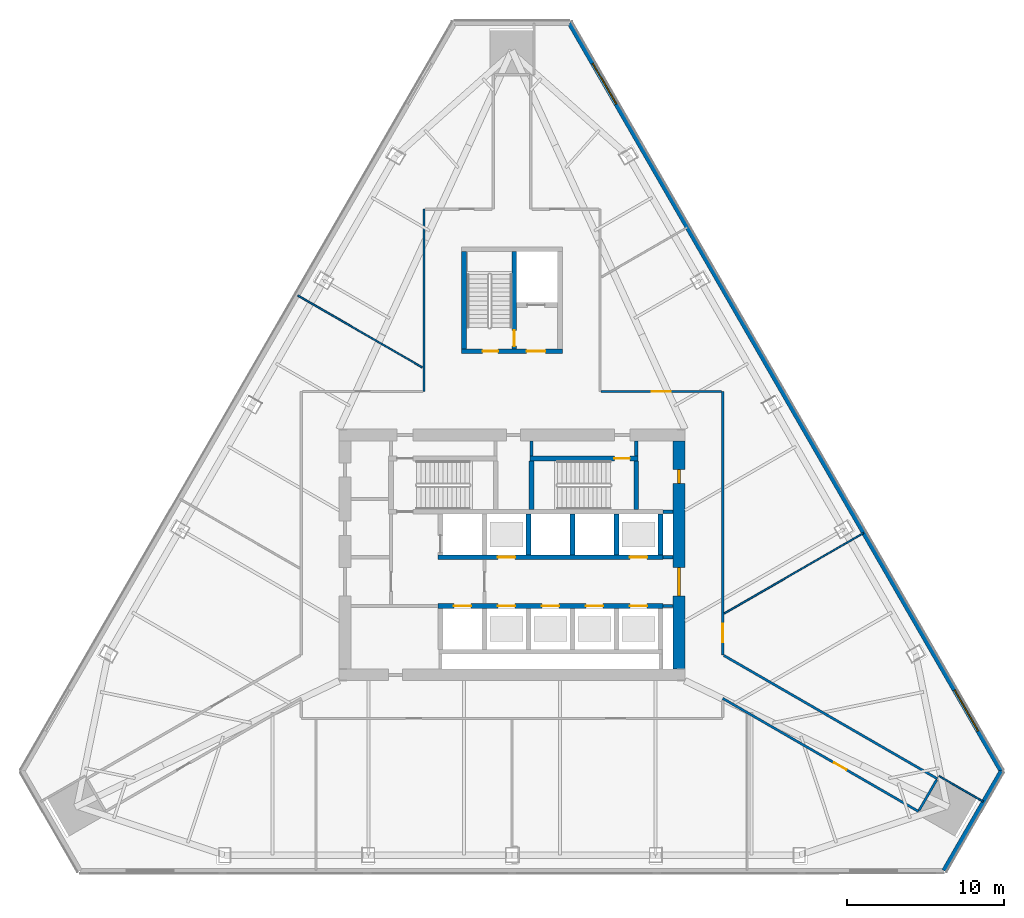
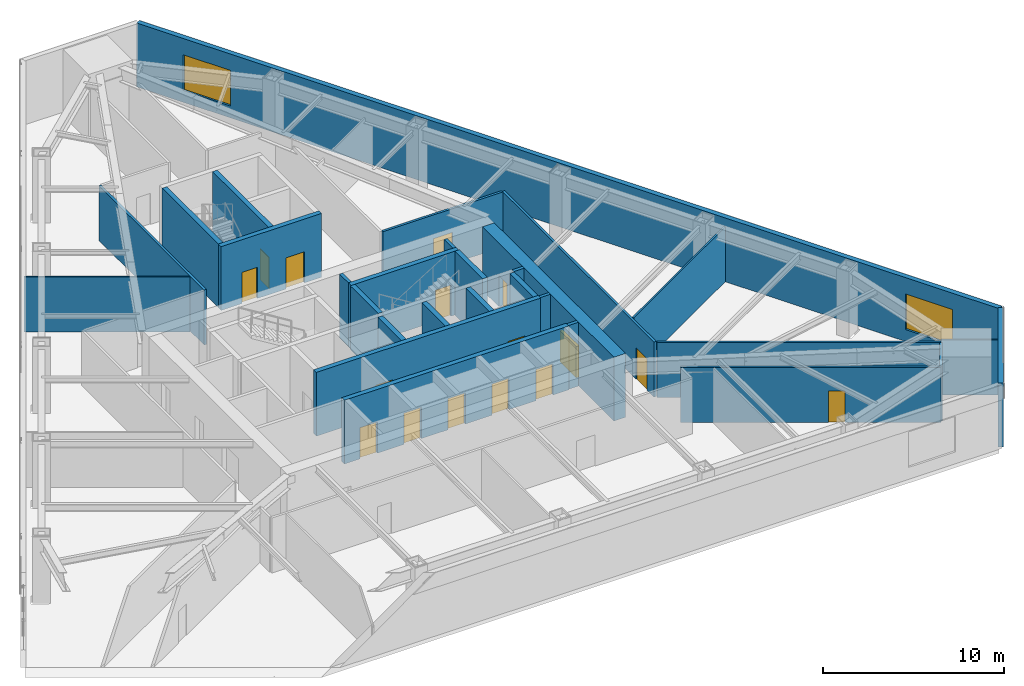
# One storey, part 7 of 14: 29 walls, 16 doors, 2 windows, 18 openings.
"""IFC4 building model written with IfcOpenShell, lengths in metres."""

from ifc_helpers import new_model, si_unit, direction, frame, frame_2d, origin, place, context, subcontext, project, spatial, rectangle, extrude, material, layer, layer_set, type_object, element, fill, save


model = new_model("IFC4")

# Units and contexts
model_context = context("Model", 3, precision=1e-05, world=origin(), true_north=direction((0.0, 1.0)))
body_context = subcontext(model_context, "Body", "Model", "MODEL_VIEW")
ifc_project = project(units=[si_unit("LENGTHUNIT", "METRE"), si_unit("AREAUNIT", "SQUARE_METRE"), si_unit("VOLUMEUNIT", "CUBIC_METRE"), si_unit("PLANEANGLEUNIT", "RADIAN"), si_unit("MASSUNIT", "GRAM", prefix="KILO")], contexts=[model_context])

# Site, building, storey
site_placement = place(None, origin())
site = spatial("IfcSite", under=ifc_project, at=site_placement, CompositionType="ELEMENT")
building_placement = place(site_placement, origin())
building = spatial("IfcBuilding", under=site, at=building_placement, Name="Firuza Gate Tower and Library", CompositionType="ELEMENT")
storey_placement = place(building_placement, frame((0.0, 0.0, 151.300048828125)))
storey = spatial("IfcBuildingStorey", under=building, at=storey_placement, Name="L34", CompositionType="ELEMENT", Elevation=151.300048828125)

# Walls
ifc_material_1 = material(Name="Plasterboard on steel studs", Category="steel")
ifc_layer_1 = layer(ifc_material_1, 0.199951171875)
ifc_layer_set_1 = layer_set([ifc_layer_1], Name="Core partition 200 EI 120")
wall_type_1 = type_object("IfcWallType", Name="Core partition 200 EI 120", PredefinedType="PARTITIONING", material=ifc_layer_set_1)
for number, where, z_axis, x_axis, name in (
    (1, (84.60009765625, 71.75, 0.0), (0.0, 0.0, 1.0), (1.0, 0.0, 0.0), "Core partition L34 2"),
    (2, (84.60009765625, 74.85009765625, 0.0), (0.0, 0.0, 1.0), (1.0, 0.0, 0.0), "Core partition L34 4"),
    (3, (84.60009765625, 77.75, 0.0), (0.0, 0.0, 1.0), (1.0, 0.0, 0.0), "Core partition L34 5"),
):
    element("IfcWall", number, at=place(storey_placement, frame(where, z_axis=z_axis, x_axis=x_axis)), inside=storey, type_object=wall_type_1, Name=name, PredefinedType="PARTITIONING", context=body_context, shape_type="SweptSolid", body=[
        extrude(rectangle(XDim=0.64990234375, YDim=0.199951171875, at=frame_2d((0.324951171875, 0.0))), origin(), (0.0, 0.0, 1.0), 4.300048828125),
    ])
for number, where, z_axis, x_axis, name in (
    (4, (76.239990234375, 81.280029296875, 0.0), (0.0, 0.0, 1.0), (0.0, 1.0, 0.0), "Core partition L34 12"),
    (5, (82.89990234375, 81.280029296875, 0.0), (0.0, 0.0, 1.0), (0.0, 1.0, 0.0), "Core partition L34 13"),
):
    element("IfcWall", number, at=place(storey_placement, frame(where, z_axis=z_axis, x_axis=x_axis)), inside=storey, type_object=wall_type_1, Name=name, PredefinedType="PARTITIONING", context=body_context, shape_type="SweptSolid", body=[
        extrude(rectangle(XDim=0.969970703125, YDim=0.199951171875, at=frame_2d((0.48486328125, 0.0))), origin(), (0.0, 0.0, 1.0), 4.300048828125),
    ])

# Wall, openings, doors
ifc_material_2 = material(Name="Concrete C80/95", Category="concrete")
ifc_layer_2 = layer(ifc_material_2, 0.300048828125)
ifc_layer_set_2 = layer_set([ifc_layer_2], Name="Core wall 300 C80/95")
wall_type_2 = type_object("IfcWallType", Name="Core wall 300 C80/95", PredefinedType="SHEAR", material=ifc_layer_set_2)
wall_1_placement = place(storey_placement, frame((70.300048828125, 71.75, 0.0), z_axis=(0.0, 0.0, 1.0), x_axis=(1.0, 0.0, 0.0)))
wall_1 = element("IfcWall", 6, at=wall_1_placement, inside=storey, type_object=wall_type_2, Name="Core wall L34 6", PredefinedType="SHEAR", context=body_context, shape_type="SweptSolid", body=[
    extrude(rectangle(XDim=14.300048828125, YDim=0.300048828125, at=frame_2d((7.14990234375, 0.0))), origin(), (0.0, 0.0, 1.0), 4.300048828125),
])
opening_1_placement = place(wall_1_placement, frame((1.0, 0.0, 0.0)))
opening_1 = element("IfcOpeningElement", 7, at=opening_1_placement, cuts=wall_1, Name="Opening LD-FF1-L34", PredefinedType="OPENING", context=body_context, shape_type="SweptSolid", body=[
    extrude(rectangle(XDim=1.10009765625, YDim=2.10009765625, at=frame_2d((0.550048828125, 1.050048828125))), frame((0.0, 0.16015625, 0.0), z_axis=(0.0, -1.0, 0.0), x_axis=(1.0, 0.0, 0.0)), (0.0, 0.0, 1.0), 0.320068359375),
])
opening_2_placement = place(wall_1_placement, frame((3.800048828125, 0.0, 0.0)))
opening_2 = element("IfcOpeningElement", 8, at=opening_2_placement, cuts=wall_1, Name="Opening LD-MR1-L34", PredefinedType="OPENING", context=body_context, shape_type="SweptSolid", body=[
    extrude(rectangle(XDim=1.10009765625, YDim=2.10009765625, at=frame_2d((0.550048828125, 1.050048828125))), frame((0.0, 0.16015625, 0.0), z_axis=(0.0, -1.0, 0.0), x_axis=(1.0, 0.0, 0.0)), (0.0, 0.0, 1.0), 0.320068359375),
])
opening_3_placement = place(wall_1_placement, frame((6.60009765625, 0.0, 0.0)))
opening_3 = element("IfcOpeningElement", 9, at=opening_3_placement, cuts=wall_1, Name="Opening LD-MR2-L34", PredefinedType="OPENING", context=body_context, shape_type="SweptSolid", body=[
    extrude(rectangle(XDim=1.10009765625, YDim=2.10009765625, at=frame_2d((0.550048828125, 1.050048828125))), frame((0.0, 0.16015625, 0.0), z_axis=(0.0, -1.0, 0.0), x_axis=(1.0, 0.0, 0.0)), (0.0, 0.0, 1.0), 0.320068359375),
])
opening_4_placement = place(wall_1_placement, frame((9.39990234375, 0.0, 0.0)))
opening_4 = element("IfcOpeningElement", 10, at=opening_4_placement, cuts=wall_1, Name="Opening LD-MR3-L34", PredefinedType="OPENING", context=body_context, shape_type="SweptSolid", body=[
    extrude(rectangle(XDim=1.10009765625, YDim=2.10009765625, at=frame_2d((0.550048828125, 1.050048828125))), frame((0.0, 0.16015625, 0.0), z_axis=(0.0, -1.0, 0.0), x_axis=(1.0, 0.0, 0.0)), (0.0, 0.0, 1.0), 0.320068359375),
])
opening_5_placement = place(wall_1_placement, frame((12.199951171875, 0.0, 0.0)))
opening_5 = element("IfcOpeningElement", 11, at=opening_5_placement, cuts=wall_1, Name="Opening LD-MR5-L34", PredefinedType="OPENING", context=body_context, shape_type="SweptSolid", body=[
    extrude(rectangle(XDim=1.10009765625, YDim=2.10009765625, at=frame_2d((0.550048828125, 1.050048828125))), frame((0.0, 0.16015625, 0.0), z_axis=(0.0, -1.0, 0.0), x_axis=(1.0, 0.0, 0.0)), (0.0, 0.0, 1.0), 0.320068359375),
])
ifc_material_3 = material(Name="Stainless steel", Category="steel")
door_type_1 = type_object("IfcDoorType", Name="Lift landing door 1100x2100", OperationType="DOUBLE_DOOR_SLIDING", PredefinedType="DOOR", material=ifc_material_3)
door_1_placement = place(opening_1_placement, origin())
door_1 = element("IfcDoor", 12, at=door_1_placement, inside=storey, type_object=door_type_1, Name="Landing door FF1 L34", OperationType="DOUBLE_DOOR_SLIDING", OverallHeight=2.10009765625, OverallWidth=1.10009765625, PredefinedType="DOOR", context=body_context, shape_type="SweptSolid", body=[
    extrude(rectangle(XDim=1.10009765625, YDim=2.10009765625, at=frame_2d((0.550048828125, 1.050048828125))), frame((0.0, 0.02490234375, 0.0), z_axis=(0.0, -1.0, 0.0), x_axis=(1.0, 0.0, 0.0)), (0.0, 0.0, 1.0), 0.050048828125),
])
fill(opening_1, door_1)
door_2_placement = place(opening_2_placement, origin())
door_2 = element("IfcDoor", 13, at=door_2_placement, inside=storey, type_object=door_type_1, Name="Landing door MR1 L34", OperationType="DOUBLE_DOOR_SLIDING", OverallHeight=2.10009765625, OverallWidth=1.10009765625, PredefinedType="DOOR", context=body_context, shape_type="SweptSolid", body=[
    extrude(rectangle(XDim=1.10009765625, YDim=2.10009765625, at=frame_2d((0.550048828125, 1.050048828125))), frame((0.0, 0.02490234375, 0.0), z_axis=(0.0, -1.0, 0.0), x_axis=(1.0, 0.0, 0.0)), (0.0, 0.0, 1.0), 0.050048828125),
])
fill(opening_2, door_2)
door_3_placement = place(opening_3_placement, origin())
door_3 = element("IfcDoor", 14, at=door_3_placement, inside=storey, type_object=door_type_1, Name="Landing door MR2 L34", OperationType="DOUBLE_DOOR_SLIDING", OverallHeight=2.10009765625, OverallWidth=1.10009765625, PredefinedType="DOOR", context=body_context, shape_type="SweptSolid", body=[
    extrude(rectangle(XDim=1.10009765625, YDim=2.10009765625, at=frame_2d((0.550048828125, 1.050048828125))), frame((0.0, 0.02490234375, 0.0), z_axis=(0.0, -1.0, 0.0), x_axis=(1.0, 0.0, 0.0)), (0.0, 0.0, 1.0), 0.050048828125),
])
fill(opening_3, door_3)
door_4_placement = place(opening_4_placement, origin())
door_4 = element("IfcDoor", 15, at=door_4_placement, inside=storey, type_object=door_type_1, Name="Landing door MR3 L34", OperationType="DOUBLE_DOOR_SLIDING", OverallHeight=2.10009765625, OverallWidth=1.10009765625, PredefinedType="DOOR", context=body_context, shape_type="SweptSolid", body=[
    extrude(rectangle(XDim=1.10009765625, YDim=2.10009765625, at=frame_2d((0.550048828125, 1.050048828125))), frame((0.0, 0.02490234375, 0.0), z_axis=(0.0, -1.0, 0.0), x_axis=(1.0, 0.0, 0.0)), (0.0, 0.0, 1.0), 0.050048828125),
])
fill(opening_4, door_4)
door_5_placement = place(opening_5_placement, origin())
door_5 = element("IfcDoor", 16, at=door_5_placement, inside=storey, type_object=door_type_1, Name="Landing door MR5 L34", OperationType="DOUBLE_DOOR_SLIDING", OverallHeight=2.10009765625, OverallWidth=1.10009765625, PredefinedType="DOOR", context=body_context, shape_type="SweptSolid", body=[
    extrude(rectangle(XDim=1.10009765625, YDim=2.10009765625, at=frame_2d((0.550048828125, 1.050048828125))), frame((0.0, 0.02490234375, 0.0), z_axis=(0.0, -1.0, 0.0), x_axis=(1.0, 0.0, 0.0)), (0.0, 0.0, 1.0), 0.050048828125),
])
fill(opening_5, door_5)

wall_2_placement = place(storey_placement, frame((70.300048828125, 74.85009765625, 0.0), z_axis=(0.0, 0.0, 1.0), x_axis=(1.0, 0.0, 0.0)))
wall_2 = element("IfcWall", 17, at=wall_2_placement, inside=storey, type_object=wall_type_2, Name="Core wall L34 7", PredefinedType="SHEAR", context=body_context, shape_type="SweptSolid", body=[
    extrude(rectangle(XDim=14.300048828125, YDim=0.300048828125, at=frame_2d((7.14990234375, 0.0))), origin(), (0.0, 0.0, 1.0), 4.300048828125),
])
opening_6_placement = place(wall_2_placement, frame((3.800048828125, 0.0, 0.0)))
opening_6 = element("IfcOpeningElement", 18, at=opening_6_placement, cuts=wall_2, Name="Opening LD-MR4-L34", PredefinedType="OPENING", context=body_context, shape_type="SweptSolid", body=[
    extrude(rectangle(XDim=1.10009765625, YDim=2.10009765625, at=frame_2d((0.550048828125, 1.050048828125))), frame((0.0, 0.16015625, 0.0), z_axis=(0.0, -1.0, 0.0), x_axis=(1.0, 0.0, 0.0)), (0.0, 0.0, 1.0), 0.320068359375),
])
opening_7_placement = place(wall_2_placement, frame((12.199951171875, 0.0, 0.0)))
opening_7 = element("IfcOpeningElement", 19, at=opening_7_placement, cuts=wall_2, Name="Opening LD-MR6-L34", PredefinedType="OPENING", context=body_context, shape_type="SweptSolid", body=[
    extrude(rectangle(XDim=1.10009765625, YDim=2.10009765625, at=frame_2d((0.550048828125, 1.050048828125))), frame((0.0, 0.16015625, 0.0), z_axis=(0.0, -1.0, 0.0), x_axis=(1.0, 0.0, 0.0)), (0.0, 0.0, 1.0), 0.320068359375),
])
door_6_placement = place(opening_6_placement, origin())
door_6 = element("IfcDoor", 20, at=door_6_placement, inside=storey, type_object=door_type_1, Name="Landing door MR4 L34", OperationType="DOUBLE_DOOR_SLIDING", OverallHeight=2.10009765625, OverallWidth=1.10009765625, PredefinedType="DOOR", context=body_context, shape_type="SweptSolid", body=[
    extrude(rectangle(XDim=1.10009765625, YDim=2.10009765625, at=frame_2d((0.550048828125, 1.050048828125))), frame((0.0, 0.02490234375, 0.0), z_axis=(0.0, -1.0, 0.0), x_axis=(1.0, 0.0, 0.0)), (0.0, 0.0, 1.0), 0.050048828125),
])
fill(opening_6, door_6)
door_7_placement = place(opening_7_placement, origin())
door_7 = element("IfcDoor", 21, at=door_7_placement, inside=storey, type_object=door_type_1, Name="Landing door MR6 L34", OperationType="DOUBLE_DOOR_SLIDING", OverallHeight=2.10009765625, OverallWidth=1.10009765625, PredefinedType="DOOR", context=body_context, shape_type="SweptSolid", body=[
    extrude(rectangle(XDim=1.10009765625, YDim=2.10009765625, at=frame_2d((0.550048828125, 1.050048828125))), frame((0.0, 0.02490234375, 0.0), z_axis=(0.0, -1.0, 0.0), x_axis=(1.0, 0.0, 0.0)), (0.0, 0.0, 1.0), 0.050048828125),
])
fill(opening_7, door_7)

# Walls
for number, where, z_axis, x_axis, name in (
    (22, (76.050048828125, 75.0, 0.0), (0.0, 0.0, 1.0), (0.0, 1.0, 0.0), "Core wall L34 13"),
    (23, (78.85009765625, 75.0, 0.0), (0.0, 0.0, 1.0), (0.0, 1.0, 0.0), "Core wall L34 15"),
    (24, (81.64990234375, 75.0, 0.0), (0.0, 0.0, 1.0), (0.0, 1.0, 0.0), "Core wall L34 17"),
    (25, (84.449951171875, 75.0, 0.0), (0.0, 0.0, 1.0), (0.0, 1.0, 0.0), "Core wall L34 19"),
):
    element("IfcWall", number, at=place(storey_placement, frame(where, z_axis=z_axis, x_axis=x_axis)), inside=storey, type_object=wall_type_2, Name=name, PredefinedType="SHEAR", context=body_context, shape_type="SweptSolid", body=[
        extrude(rectangle(XDim=2.60009765625, YDim=0.300048828125, at=frame_2d((1.300048828125, 0.0))), origin(), (0.0, 0.0, 1.0), 4.300048828125),
    ])

# Wall, opening, door
wall_3_placement = place(storey_placement, frame((76.139892578125, 81.1298828125, 0.0), z_axis=(0.0, 0.0, 1.0), x_axis=(1.0, 0.0, 0.0)))
wall_3 = element("IfcWall", 26, at=wall_3_placement, inside=storey, type_object=wall_type_2, Name="Core wall L34 22", PredefinedType="SHEAR", context=body_context, shape_type="SweptSolid", body=[
    extrude(rectangle(XDim=6.860107421875, YDim=0.300048828125, at=frame_2d((3.43017578125, 0.0))), origin(), (0.0, 0.0, 1.0), 4.300048828125),
])
opening_8_placement = place(wall_3_placement, frame((5.364990234375, 0.0, 0.0)))
opening_8 = element("IfcOpeningElement", 27, at=opening_8_placement, cuts=wall_3, Name="Opening L34-K13", PredefinedType="OPENING", context=body_context, shape_type="SweptSolid", body=[
    extrude(rectangle(XDim=1.0, YDim=2.10009765625, at=frame_2d((0.5, 1.050048828125))), frame((0.0, 0.16015625, 0.0), z_axis=(0.0, -1.0, 0.0), x_axis=(1.0, 0.0, 0.0)), (0.0, 0.0, 1.0), 0.320068359375),
])
ifc_material_4 = material(Name="Steel", Category="steel")
door_type_2 = type_object("IfcDoorType", Name="Fire door 1000x2100 FD90", OperationType="NOTDEFINED", PredefinedType="DOOR", material=ifc_material_4)
door_8_placement = place(opening_8_placement, origin())
door_8 = element("IfcDoor", 28, at=door_8_placement, inside=storey, type_object=door_type_2, Name="Door L34-K13", OperationType="SINGLE_SWING_RIGHT", OverallHeight=2.10009765625, OverallWidth=1.0, PredefinedType="DOOR", context=body_context, shape_type="SweptSolid", body=[
    extrude(rectangle(XDim=1.0, YDim=2.10009765625, at=frame_2d((0.5, 1.050048828125))), frame((0.0, 0.02490234375, 0.0), z_axis=(0.0, -1.0, 0.0), x_axis=(1.0, 0.0, 0.0)), (0.0, 0.0, 1.0), 0.050048828125),
])
fill(opening_8, door_8)

# Walls
for number, where, z_axis, x_axis, name in (
    (29, (76.239990234375, 77.89990234375, 0.0), (0.0, 0.0, 1.0), (0.0, 1.0, 0.0), "Core wall L34 25"),
    (30, (82.89990234375, 77.89990234375, 0.0), (0.0, 0.0, 1.0), (0.0, 1.0, 0.0), "Core wall L34 26"),
):
    element("IfcWall", number, at=place(storey_placement, frame(where, z_axis=z_axis, x_axis=x_axis)), inside=storey, type_object=wall_type_2, Name=name, PredefinedType="SHEAR", context=body_context, shape_type="SweptSolid", body=[
        extrude(rectangle(XDim=3.080078125, YDim=0.300048828125, at=frame_2d((1.5400390625, 0.0))), origin(), (0.0, 0.0, 1.0), 4.300048828125),
    ])

# Wall, openings, doors
wall_4_placement = place(storey_placement, frame((71.800048828125, 87.949951171875, 0.0), z_axis=(0.0, 0.0, 1.0), x_axis=(1.0, 0.0, 0.0)))
wall_4 = element("IfcWall", 31, at=wall_4_placement, inside=storey, type_object=wall_type_2, Name="Core wall L34 27", PredefinedType="SHEAR", context=body_context, shape_type="SweptSolid", body=[
    extrude(rectangle(XDim=6.39990234375, YDim=0.300048828125, at=frame_2d((3.199951171875, 0.0))), origin(), (0.0, 0.0, 1.0), 4.300048828125),
])
opening_9_placement = place(wall_4_placement, frame((1.324951171875, 0.0, 0.0)))
opening_9 = element("IfcOpeningElement", 32, at=opening_9_placement, cuts=wall_4, Name="Opening L34-K15", PredefinedType="OPENING", context=body_context, shape_type="SweptSolid", body=[
    extrude(rectangle(XDim=1.0, YDim=2.10009765625, at=frame_2d((0.5, 1.050048828125))), frame((0.0, 0.16015625, 0.0), z_axis=(0.0, -1.0, 0.0), x_axis=(1.0, 0.0, 0.0)), (0.0, 0.0, 1.0), 0.320068359375),
])
opening_10_placement = place(wall_4_placement, frame((4.125, 0.0, 0.0)))
opening_10 = element("IfcOpeningElement", 33, at=opening_10_placement, cuts=wall_4, Name="Opening L34-K17", PredefinedType="OPENING", context=body_context, shape_type="SweptSolid", body=[
    extrude(rectangle(XDim=1.199951171875, YDim=2.10009765625, at=frame_2d((0.60009765625, 1.050048828125))), frame((0.0, 0.16015625, 0.0), z_axis=(0.0, -1.0, 0.0), x_axis=(1.0, 0.0, 0.0)), (0.0, 0.0, 1.0), 0.320068359375),
])
door_9_placement = place(opening_9_placement, origin())
door_9 = element("IfcDoor", 34, at=door_9_placement, inside=storey, type_object=door_type_2, Name="Door L34-K15", OperationType="SINGLE_SWING_RIGHT", OverallHeight=2.10009765625, OverallWidth=1.0, PredefinedType="DOOR", context=body_context, shape_type="SweptSolid", body=[
    extrude(rectangle(XDim=1.0, YDim=2.10009765625, at=frame_2d((0.5, 1.050048828125))), frame((0.0, 0.02490234375, 0.0), z_axis=(0.0, -1.0, 0.0), x_axis=(1.0, 0.0, 0.0)), (0.0, 0.0, 1.0), 0.050048828125),
])
fill(opening_9, door_9)
ifc_material_5 = material(Name="Steel", Category="steel")
door_type_3 = type_object("IfcDoorType", Name="Fire door 1200x2100 FD30S", OperationType="NOTDEFINED", PredefinedType="DOOR", material=ifc_material_5)
door_10_placement = place(opening_10_placement, origin())
door_10 = element("IfcDoor", 35, at=door_10_placement, inside=storey, type_object=door_type_3, Name="Door L34-K17", OperationType="SINGLE_SWING_RIGHT", OverallHeight=2.10009765625, OverallWidth=1.199951171875, PredefinedType="DOOR", context=body_context, shape_type="SweptSolid", body=[
    extrude(rectangle(XDim=1.199951171875, YDim=2.10009765625, at=frame_2d((0.60009765625, 1.050048828125))), frame((0.0, 0.02490234375, 0.0), z_axis=(0.0, -1.0, 0.0), x_axis=(1.0, 0.0, 0.0)), (0.0, 0.0, 1.0), 0.050048828125),
])
fill(opening_10, door_10)

# Wall
wall_5_placement = place(storey_placement, frame((71.949951171875, 88.10009765625, 0.0), z_axis=(0.0, 0.0, 1.0), x_axis=(0.0, 1.0, 0.0)))
element("IfcWall", 36, at=wall_5_placement, inside=storey, type_object=wall_type_2, Name="Core wall L34 29", PredefinedType="SHEAR", context=body_context, shape_type="SweptSolid", body=[
    extrude(rectangle(XDim=6.199951171875, YDim=0.300048828125, at=frame_2d((3.10009765625, 0.0))), origin(), (0.0, 0.0, 1.0), 4.300048828125),
])

# Wall, opening, door
wall_6_placement = place(storey_placement, frame((75.14990234375, 88.10009765625, 0.0), z_axis=(0.0, 0.0, 1.0), x_axis=(0.0, 1.0, 0.0)))
wall_6 = element("IfcWall", 37, at=wall_6_placement, inside=storey, type_object=wall_type_2, Name="Core wall L34 32", PredefinedType="SHEAR", context=body_context, shape_type="SweptSolid", body=[
    extrude(rectangle(XDim=6.199951171875, YDim=0.300048828125, at=frame_2d((3.10009765625, 0.0))), origin(), (0.0, 0.0, 1.0), 4.300048828125),
])
opening_11_placement = place(wall_6_placement, frame((0.18505859375, 0.0, 0.0)))
opening_11 = element("IfcOpeningElement", 38, at=opening_11_placement, cuts=wall_6, Name="Opening L34-K16", PredefinedType="OPENING", context=body_context, shape_type="SweptSolid", body=[
    extrude(rectangle(XDim=1.0, YDim=2.10009765625, at=frame_2d((0.5, 1.050048828125))), frame((0.0, 0.16015625, 0.0), z_axis=(0.0, -1.0, 0.0), x_axis=(1.0, 0.0, 0.0)), (0.0, 0.0, 1.0), 0.320068359375),
])
door_11_placement = place(opening_11_placement, origin())
door_11 = element("IfcDoor", 39, at=door_11_placement, inside=storey, type_object=door_type_2, Name="Door L34-K16", OperationType="SINGLE_SWING_LEFT", OverallHeight=2.10009765625, OverallWidth=1.0, PredefinedType="DOOR", context=body_context, shape_type="SweptSolid", body=[
    extrude(rectangle(XDim=1.0, YDim=2.10009765625, at=frame_2d((0.5, 1.050048828125))), frame((0.0, 0.02490234375, 0.0), z_axis=(0.0, -1.0, 0.0), x_axis=(1.0, 0.0, 0.0)), (0.0, 0.0, 1.0), 0.050048828125),
])
fill(opening_11, door_11)

# Wall, openings, doors
ifc_material_6 = material(Name="Concrete C80/95", Category="concrete")
ifc_layer_3 = layer(ifc_material_6, 0.75)
ifc_layer_set_3 = layer_set([ifc_layer_3], Name="Core wall 750 C80/95")
wall_type_3 = type_object("IfcWallType", Name="Core wall 750 C80/95", PredefinedType="SHEAR", material=ifc_layer_set_3)
wall_7_placement = place(storey_placement, frame((85.625, 67.75, 0.0), z_axis=(0.0, 0.0, 1.0), x_axis=(0.0, 1.0, 0.0)))
wall_7 = element("IfcWall", 40, at=wall_7_placement, inside=storey, type_object=wall_type_3, Name="Core wall L34 4", PredefinedType="SHEAR", context=body_context, shape_type="SweptSolid", body=[
    extrude(rectangle(XDim=14.5, YDim=0.75, at=frame_2d((7.25, 0.0))), origin(), (0.0, 0.0, 1.0), 4.300048828125),
])
opening_12_placement = place(wall_7_placement, frame((4.64990234375, 0.0, 0.0)))
opening_12 = element("IfcOpeningElement", 41, at=opening_12_placement, cuts=wall_7, Name="Opening L34-K21", PredefinedType="OPENING", context=body_context, shape_type="SweptSolid", body=[
    extrude(rectangle(XDim=1.800048828125, YDim=2.10009765625, at=frame_2d((0.89990234375, 1.050048828125))), frame((0.0, 0.385009765625, 0.0), z_axis=(0.0, -1.0, 0.0), x_axis=(1.0, 0.0, 0.0)), (0.0, 0.0, 1.0), 0.77001953125),
])
opening_13_placement = place(wall_7_placement, frame((11.800048828125, 0.0, 0.0)))
opening_13 = element("IfcOpeningElement", 42, at=opening_13_placement, cuts=wall_7, Name="Opening L34-K26", PredefinedType="OPENING", context=body_context, shape_type="SweptSolid", body=[
    extrude(rectangle(XDim=0.89990234375, YDim=2.10009765625, at=frame_2d((0.449951171875, 1.050048828125))), frame((0.0, 0.385009765625, 0.0), z_axis=(0.0, -1.0, 0.0), x_axis=(1.0, 0.0, 0.0)), (0.0, 0.0, 1.0), 0.77001953125),
])
ifc_material_7 = material(Name="Steel", Category="steel")
door_type_4 = type_object("IfcDoorType", Name="Fire door 1800x2100 FD30S", OperationType="NOTDEFINED", PredefinedType="DOOR", material=ifc_material_7)
door_12_placement = place(opening_12_placement, origin())
door_12 = element("IfcDoor", 43, at=door_12_placement, inside=storey, type_object=door_type_4, Name="Door L34-K21", OperationType="SINGLE_SWING_RIGHT", OverallHeight=2.10009765625, OverallWidth=1.800048828125, PredefinedType="DOOR", context=body_context, shape_type="SweptSolid", body=[
    extrude(rectangle(XDim=1.800048828125, YDim=2.10009765625, at=frame_2d((0.89990234375, 1.050048828125))), frame((0.0, 0.094970703125, 0.0), z_axis=(0.0, -1.0, 0.0), x_axis=(1.0, 0.0, 0.0)), (0.0, 0.0, 1.0), 0.18994140625),
])
fill(opening_12, door_12)
ifc_material_8 = material(Name="Steel", Category="steel")
door_type_5 = type_object("IfcDoorType", Name="Fire door 900x2100 FD30S", OperationType="NOTDEFINED", PredefinedType="DOOR", material=ifc_material_8)
door_13_placement = place(opening_13_placement, origin())
door_13 = element("IfcDoor", 44, at=door_13_placement, inside=storey, type_object=door_type_5, Name="Door L34-K26", OperationType="SINGLE_SWING_LEFT", OverallHeight=2.10009765625, OverallWidth=0.89990234375, PredefinedType="DOOR", context=body_context, shape_type="SweptSolid", body=[
    extrude(rectangle(XDim=0.89990234375, YDim=2.10009765625, at=frame_2d((0.449951171875, 1.050048828125))), frame((0.0, 0.094970703125, 0.0), z_axis=(0.0, -1.0, 0.0), x_axis=(1.0, 0.0, 0.0)), (0.0, 0.0, 1.0), 0.18994140625),
])
fill(opening_13, door_13)

# Wall, opening, door
ifc_material_9 = material(Name="Gypsum board partition")
ifc_layer_4 = layer(ifc_material_9, 0.14990234375)
ifc_layer_set_4 = layer_set([ifc_layer_4], Name="Corridor wall 150 double board on steel studs")
wall_type_4 = type_object("IfcWallType", Name="Corridor wall 150 double board on steel studs", PredefinedType="PARTITIONING", material=ifc_layer_set_4)
wall_8_placement = place(storey_placement, frame((88.324462890625, 85.39990234375, 0.0), z_axis=(0.0, 0.0, 1.0), x_axis=(-1.0, 0.0, 0.0)))
wall_8 = element("IfcWall", 45, at=wall_8_placement, inside=storey, type_object=wall_type_4, Name="f:L34:w004", PredefinedType="PARTITIONING", context=body_context, shape_type="SweptSolid", body=[
    extrude(rectangle(XDim=7.6494140625, YDim=0.14990234375, at=frame_2d((3.82470703125, 0.0))), origin(), (0.0, 0.0, 1.0), 3.699951171875),
])
opening_14_placement = place(wall_8_placement, frame((3.224609375, 0.0, 0.0)))
opening_14 = element("IfcOpeningElement", 46, at=opening_14_placement, cuts=wall_8, Name="Opening L34-04", PredefinedType="OPENING", context=body_context, shape_type="SweptSolid", body=[
    extrude(rectangle(XDim=1.199951171875, YDim=2.10009765625, at=frame_2d((0.60009765625, 1.050048828125))), frame((0.0, 0.0849609375, 0.0), z_axis=(0.0, -1.0, 0.0), x_axis=(1.0, 0.0, 0.0)), (0.0, 0.0, 1.0), 0.169921875),
])
ifc_material_10 = material(Name="Steel door and timber leaf", Category="steel")
door_type_6 = type_object("IfcDoorType", Name="Fire door 1200 x 2100 steel frame, double leaf", OperationType="NOTDEFINED", PredefinedType="DOOR", material=ifc_material_10)
door_14_placement = place(opening_14_placement, origin())
door_14 = element("IfcDoor", 47, at=door_14_placement, inside=storey, type_object=door_type_6, Name="f:L34:d004", OperationType="DOUBLE_DOOR_SINGLE_SWING", OverallHeight=2.10009765625, OverallWidth=1.199951171875, PredefinedType="DOOR", context=body_context, shape_type="SweptSolid", body=[
    extrude(rectangle(XDim=1.199951171875, YDim=2.10009765625, at=frame_2d((0.60009765625, 1.050048828125))), frame((0.0, 0.02490234375, 0.0), z_axis=(0.0, -1.0, 0.0), x_axis=(1.0, 0.0, 0.0)), (0.0, 0.0, 1.0), 0.050048828125),
])
fill(opening_14, door_14)

# Wall
wall_9_placement = place(storey_placement, frame((100.891357421875, 58.753173828125, 0.0), z_axis=(0.0, 0.0, 1.0), x_axis=(0.500023814363, 0.866011654119, 0.0)))
element("IfcWall", 48, at=wall_9_placement, inside=storey, type_object=wall_type_4, Name="f:L34:w013", PredefinedType="PARTITIONING", context=body_context, shape_type="SweptSolid", body=[
    extrude(rectangle(XDim=2.244140625, YDim=0.14990234375, at=frame_2d((1.1220703125, 0.0))), origin(), (0.0, 0.0, 1.0), 3.699951171875),
])

# Wall, opening, door
wall_10_placement = place(storey_placement, frame((88.39990234375, 85.3994140625, 0.0), z_axis=(0.0, 0.0, 1.0), x_axis=(0.0, -1.0, 0.0)))
wall_10 = element("IfcWall", 49, at=wall_10_placement, inside=storey, type_object=wall_type_4, Name="f:L34:w016", PredefinedType="PARTITIONING", context=body_context, shape_type="SweptSolid", body=[
    extrude(rectangle(XDim=16.750244140625, YDim=0.14990234375, at=frame_2d((8.375, 0.0))), origin(), (0.0, 0.0, 1.0), 3.699951171875),
])
opening_15_placement = place(wall_10_placement, frame((14.7626953125, 0.0, 0.0)))
opening_15 = element("IfcOpeningElement", 50, at=opening_15_placement, cuts=wall_10, Name="Opening L34-09", PredefinedType="OPENING", context=body_context, shape_type="SweptSolid", body=[
    extrude(rectangle(XDim=1.199951171875, YDim=2.10009765625, at=frame_2d((0.60009765625, 1.050048828125))), frame((0.0, 0.0849609375, 0.0), z_axis=(0.0, -1.0, 0.0), x_axis=(1.0, 0.0, 0.0)), (0.0, 0.0, 1.0), 0.169921875),
])
door_15_placement = place(opening_15_placement, origin())
door_15 = element("IfcDoor", 51, at=door_15_placement, inside=storey, type_object=door_type_6, Name="f:L34:d009", OperationType="DOUBLE_DOOR_SINGLE_SWING", OverallHeight=2.10009765625, OverallWidth=1.199951171875, PredefinedType="DOOR", context=body_context, shape_type="SweptSolid", body=[
    extrude(rectangle(XDim=1.199951171875, YDim=2.10009765625, at=frame_2d((0.60009765625, 1.050048828125))), frame((0.0, 0.02490234375, 0.0), z_axis=(0.0, -1.0, 0.0), x_axis=(1.0, 0.0, 0.0)), (0.0, 0.0, 1.0), 0.050048828125),
])
fill(opening_15, door_15)

# Walls
wall_11_placement = place(storey_placement, frame((69.39990234375, 85.39990234375, 0.0), z_axis=(0.0, 0.0, 1.0), x_axis=(0.0, 1.0, 0.0)))
element("IfcWall", 52, at=wall_11_placement, inside=storey, type_object=wall_type_4, Name="f:L34:w023", PredefinedType="PARTITIONING", context=body_context, shape_type="SweptSolid", body=[
    extrude(rectangle(XDim=11.599609375, YDim=0.14990234375, at=frame_2d((5.7998046875, 0.0))), origin(), (0.0, 0.0, 1.0), 3.699951171875),
])
wall_12_placement = place(storey_placement, frame((102.0537109375, 60.766357421875, 0.0), z_axis=(0.0, 0.0, 1.0), x_axis=(-0.866025857359, 0.499999214385, 0.0)))
element("IfcWall", 53, at=wall_12_placement, inside=storey, type_object=wall_type_4, Name="f:L34:w030", PredefinedType="PARTITIONING", context=body_context, shape_type="SweptSolid", body=[
    extrude(rectangle(XDim=15.67919921875, YDim=0.14990234375, at=frame_2d((7.839599609375, 0.0))), origin(), (0.0, 0.0, 1.0), 3.699951171875),
])

# Wall, opening, door
wall_13_placement = place(storey_placement, frame((100.853271484375, 58.68798828125, 0.0), z_axis=(0.0, 0.0, 1.0), x_axis=(-0.866021599452, 0.500006589238, 0.0)))
wall_13 = element("IfcWall", 54, at=wall_13_placement, inside=storey, type_object=wall_type_4, Name="f:L34:w031", PredefinedType="PARTITIONING", context=body_context, shape_type="SweptSolid", body=[
    extrude(rectangle(XDim=14.379638671875, YDim=0.14990234375, at=frame_2d((7.18994140625, 0.0))), origin(), (0.0, 0.0, 1.0), 3.699951171875),
])
opening_16_placement = place(wall_13_placement, frame((5.300048828125, 0.0, 0.0)))
opening_16 = element("IfcOpeningElement", 55, at=opening_16_placement, cuts=wall_13, Name="Opening L34-10", PredefinedType="OPENING", context=body_context, shape_type="SweptSolid", body=[
    extrude(rectangle(XDim=0.89990234375, YDim=2.10009765625, at=frame_2d((0.449951171875, 1.050048828125))), frame((0.0, 0.0849609375, 0.0), z_axis=(0.0, -1.0, 0.0), x_axis=(1.0, 0.0, 0.0)), (0.0, 0.0, 1.0), 0.169921875),
])
ifc_material_11 = material(Name="Steel door and timber leaf", Category="steel")
door_type_7 = type_object("IfcDoorType", Name="Fire door 900 x 2100 steel frame, timber leaf", OperationType="NOTDEFINED", PredefinedType="DOOR", material=ifc_material_11)
door_16_placement = place(opening_16_placement, origin())
door_16 = element("IfcDoor", 56, at=door_16_placement, inside=storey, type_object=door_type_7, Name="f:L34:d010", OperationType="SINGLE_SWING_RIGHT", OverallHeight=2.10009765625, OverallWidth=0.89990234375, PredefinedType="DOOR", context=body_context, shape_type="SweptSolid", body=[
    extrude(rectangle(XDim=0.89990234375, YDim=2.10009765625, at=frame_2d((0.449951171875, 1.050048828125))), frame((0.0, 0.02490234375, 0.0), z_axis=(0.0, -1.0, 0.0), x_axis=(1.0, 0.0, 0.0)), (0.0, 0.0, 1.0), 0.050048828125),
])
fill(opening_16, door_16)

# Walls
ifc_material_12 = material(Name="Gypsum board partition")
ifc_layer_5 = layer(ifc_material_12, 0.10009765625)
ifc_layer_set_5 = layer_set([ifc_layer_5], Name="Partition 100 gypsum board on steel studs")
wall_type_5 = type_object("IfcWallType", Name="Partition 100 gypsum board on steel studs", PredefinedType="PARTITIONING", material=ifc_layer_set_5)
wall_14_placement = place(storey_placement, frame((88.5009765625, 71.279052734375, 0.0), z_axis=(0.0, 0.0, 1.0), x_axis=(0.866018885385, 0.500011290028, 0.0)))
element("IfcWall", 57, at=wall_14_placement, inside=storey, type_object=wall_type_5, Name="f:L34:w008", PredefinedType="PARTITIONING", context=body_context, shape_type="SweptSolid", body=[
    extrude(rectangle(XDim=10.218994140625, YDim=0.10009765625, at=frame_2d((5.109375, 0.0))), origin(), (0.0, 0.0, 1.0), 3.699951171875),
])
wall_15_placement = place(storey_placement, frame((69.298828125, 86.927734375, 0.0), z_axis=(0.0, 0.0, 1.0), x_axis=(-0.866030953628, 0.499990387265, 0.0)))
element("IfcWall", 58, at=wall_15_placement, inside=storey, type_object=wall_type_5, Name="f:L34:w028", PredefinedType="PARTITIONING", context=body_context, shape_type="SweptSolid", body=[
    extrude(rectangle(XDim=9.149658203125, YDim=0.10009765625, at=frame_2d((4.57470703125, 0.0))), origin(), (0.0, 0.0, 1.0), 3.699951171875),
])
wall_16_placement = place(storey_placement, frame((104.97705078125, 59.3095703125, 0.0), z_axis=(0.0, 0.0, 1.0), x_axis=(-0.866035906198, 0.499981808845, 0.0)))
element("IfcWall", 59, at=wall_16_placement, inside=storey, type_object=wall_type_5, Name="f:L34:w029", PredefinedType="PARTITIONING", context=body_context, shape_type="SweptSolid", body=[
    extrude(rectangle(XDim=3.25927734375, YDim=0.10009765625, at=frame_2d((1.629638671875, 0.0))), origin(), (0.0, 0.0, 1.0), 3.699951171875),
])
ifc_material_13 = material(Name="Concrete C40/50", Category="concrete")
ifc_layer_6 = layer(ifc_material_13, 0.300048828125)
ifc_layer_set_6 = layer_set([ifc_layer_6], Name="Plant louvre wall 300")
wall_type_6 = type_object("IfcWallType", Name="Plant louvre wall 300", PredefinedType="SOLIDWALL", material=ifc_layer_set_6)
wall_17_placement = place(storey_placement, frame((102.47705078125, 54.919189453125, 0.0), z_axis=(0.0, 0.0, 1.0), x_axis=(0.499985757347, 0.866033626628, 0.0)))
element("IfcWall", 60, at=wall_17_placement, inside=storey, type_object=wall_type_6, Name="Plant louvre wall 2", PredefinedType="SOLIDWALL", context=body_context, shape_type="SweptSolid", body=[
    extrude(rectangle(XDim=7.303955078125, YDim=0.300048828125, at=frame_2d((3.65185546875, 0.0))), origin(), (0.0, 0.0, 1.0), 4.300048828125),
])

# Wall, openings, windows
wall_18_placement = place(storey_placement, frame((106.12890625, 61.24462890625, 0.0), z_axis=(0.0, 0.0, 1.0), x_axis=(-0.500000750612, 0.866024970418, 0.0)))
wall_18 = element("IfcWall", 61, at=wall_18_placement, inside=storey, type_object=wall_type_6, Name="Plant louvre wall 3", PredefinedType="SOLIDWALL", context=body_context, shape_type="SweptSolid", body=[
    extrude(rectangle(XDim=54.9541015625, YDim=0.300048828125, at=frame_2d((27.47705078125, 0.0))), origin(), (0.0, 0.0, 1.0), 4.300048828125),
])
opening_17_placement = place(wall_18_placement, frame((2.960205078125, 0.0, 0.800048828125)))
opening_17 = element("IfcOpeningElement", 62, at=opening_17_placement, cuts=wall_18, Name="Opening WD3-003", PredefinedType="OPENING", context=body_context, shape_type="SweptSolid", body=[
    extrude(rectangle(XDim=3.0, YDim=2.39990234375, at=frame_2d((1.5, 1.199951171875))), frame((0.0, 0.16015625, 0.0), z_axis=(0.0, -1.0, 0.0), x_axis=(1.0, 0.0, 0.0)), (0.0, 0.0, 1.0), 0.320068359375),
])
opening_18_placement = place(wall_18_placement, frame((48.993896484375, 0.0, 0.800048828125)))
opening_18 = element("IfcOpeningElement", 63, at=opening_18_placement, cuts=wall_18, Name="Opening WD3-004", PredefinedType="OPENING", context=body_context, shape_type="SweptSolid", body=[
    extrude(rectangle(XDim=3.0, YDim=2.39990234375, at=frame_2d((1.5, 1.199951171875))), frame((0.0, 0.16015625, 0.0), z_axis=(0.0, -1.0, 0.0), x_axis=(1.0, 0.0, 0.0)), (0.0, 0.0, 1.0), 0.320068359375),
])
ifc_material_14 = material(Name="Aluminium 6063-T6", Category="aluminium")
window_type = type_object("IfcWindowType", Name="Plant louvre 3000x2400", PartitioningType="SINGLE_PANEL", PredefinedType="WINDOW", material=ifc_material_14)
window_1_placement = place(opening_17_placement, origin())
window_1 = element("IfcWindow", 64, at=window_1_placement, inside=storey, type_object=window_type, Name="e:pwall:L34:2/L0", OverallHeight=2.39990234375, OverallWidth=3.0, PartitioningType="SINGLE_PANEL", PredefinedType="WINDOW", context=body_context, shape_type="SweptSolid", body=[
    extrude(rectangle(XDim=3.0, YDim=2.39990234375, at=frame_2d((1.5, 1.199951171875))), frame((0.0, 0.030029296875, 0.0), z_axis=(0.0, -1.0, 0.0), x_axis=(1.0, 0.0, 0.0)), (0.0, 0.0, 1.0), 0.06005859375),
])
fill(opening_17, window_1)
window_2_placement = place(opening_18_placement, origin())
window_2 = element("IfcWindow", 65, at=window_2_placement, inside=storey, type_object=window_type, Name="e:pwall:L34:2/L1", OverallHeight=2.39990234375, OverallWidth=3.0, PartitioningType="SINGLE_PANEL", PredefinedType="WINDOW", context=body_context, shape_type="SweptSolid", body=[
    extrude(rectangle(XDim=3.0, YDim=2.39990234375, at=frame_2d((1.5, 1.199951171875))), frame((0.0, 0.030029296875, 0.0), z_axis=(0.0, -1.0, 0.0), x_axis=(1.0, 0.0, 0.0)), (0.0, 0.0, 1.0), 0.06005859375),
])
fill(opening_18, window_2)

save(model, "model.ifc")
